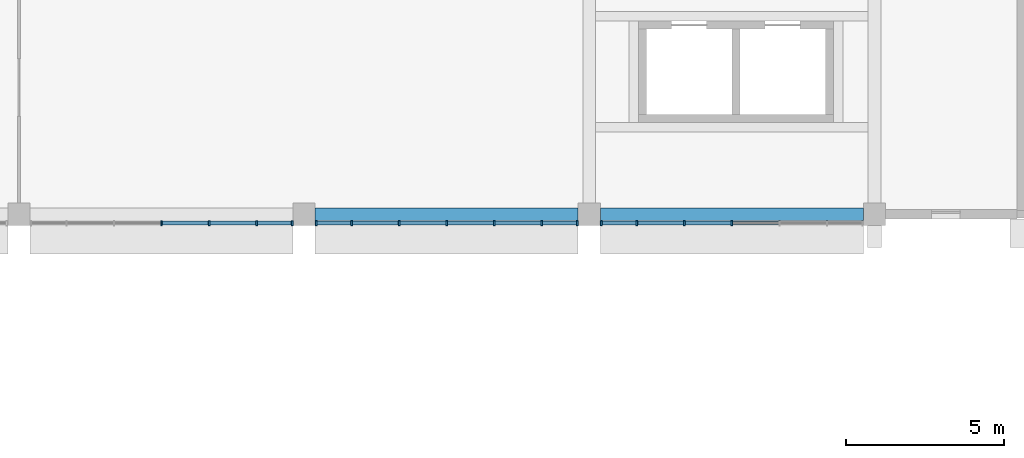
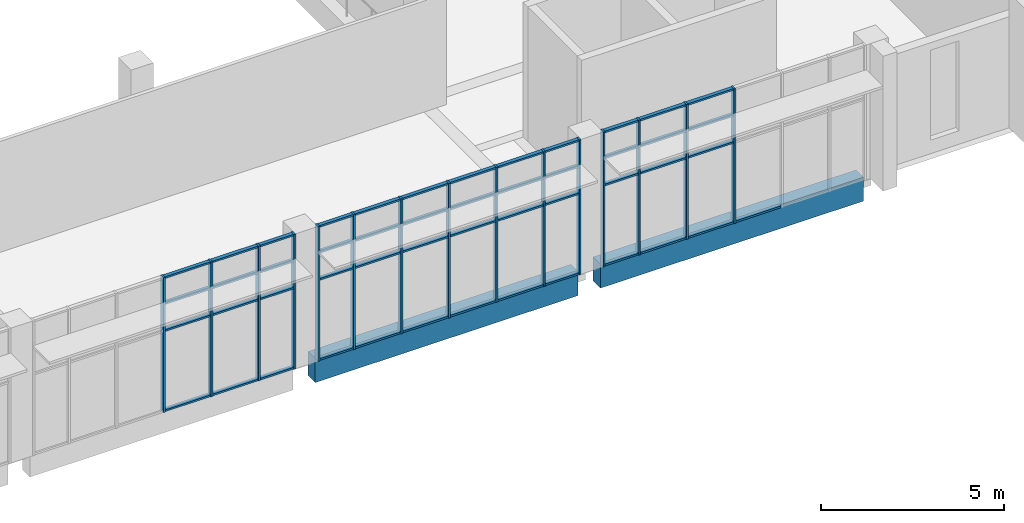
# One storey, part 5 of 40: 64 members, 2 beams, 3 elements without a shape of their own.
"""IFC4 building model written with IfcOpenShell, lengths in metres."""

from ifc_helpers import new_model, si_unit, direction, frame, origin, origin_2d, place, context, subcontext, project, spatial, rectangle, extrude, material, layer, layer_set, material_profile, profile_set, type_object, element, aggregate, save


model = new_model("IFC4")

# Units and contexts
model_context = context("Model", 3, precision=1e-05, world=origin(), true_north=direction((0.0, 1.0)))
body_context = subcontext(model_context, "Body", "Model", "MODEL_VIEW")
ifc_project = project(units=[si_unit("LENGTHUNIT", "METRE"), si_unit("AREAUNIT", "SQUARE_METRE"), si_unit("VOLUMEUNIT", "CUBIC_METRE"), si_unit("PLANEANGLEUNIT", "RADIAN"), si_unit("MASSUNIT", "GRAM", prefix="KILO")], contexts=[model_context])

# Site, building, storey
site_placement = place(None, origin())
site = spatial("IfcSite", under=ifc_project, at=site_placement, CompositionType="ELEMENT")
building_placement = place(site_placement, origin())
building = spatial("IfcBuilding", under=site, at=building_placement, Name="Guidao Yard Department Store", CompositionType="ELEMENT")
storey_placement = place(building_placement, frame((0.0, 0.0, 24.0)))
storey = spatial("IfcBuildingStorey", under=building, at=storey_placement, Name="L05", CompositionType="ELEMENT", Elevation=24.0)

# Curtain wall, members
ifc_material_1 = material(Name="Aluminium and glass", Category="aluminium")
ifc_layer = layer(ifc_material_1, 0.159912109375)
ifc_layer_set = layer_set([ifc_layer], Name="Hall front curtain wall CW2 1500 module")
curtain_wall_type = type_object("IfcCurtainWallType", Name="Hall front curtain wall CW2 1500 module", PredefinedType="NOTDEFINED", material=ifc_layer_set)
curtain_wall_1_placement = place(storey_placement, origin())
curtain_wall_1 = element("IfcCurtainWall", 1, at=curtain_wall_1_placement, inside=storey, type_object=curtain_wall_type, Name="Hall front curtain wall", PredefinedType="NOTDEFINED")
ifc_material_2 = material(Name="Aluminium 6063-T5", Category="aluminium")
ifc_material_profile_1 = material_profile(ifc_material_2, rectangle(XDim=0.06005859375, YDim=0.159912109375, at=origin_2d()), Name="Mullion M1 60 x 160 aluminium pressure plate")
ifc_profile_set_1 = profile_set([ifc_material_profile_1], Name="Aluminium 6063-T5")
member_type_1 = type_object("IfcMemberType", Name="Mullion M1 60 x 160 aluminium pressure plate", PredefinedType="MULLION", material=ifc_profile_set_1)
member_1_placement = place(storey_placement, frame((31.5, 44.719970703125, 0.0), z_axis=(0.0, 0.0, 1.0), x_axis=(-1.0, 0.0, 0.0)))
member_1 = element("IfcMember", 2, at=member_1_placement, type_object=member_type_1, Name="CW-HF-L05-03 mullion 4", PredefinedType="MULLION", context=body_context, shape_type="SweptSolid", body=[
    extrude(rectangle(XDim=0.06005859375, YDim=0.159912109375, at=origin_2d()), origin(), (0.0, 0.0, 1.0), 4.5),
])
member_2_placement = place(storey_placement, frame((33.0, 44.719970703125, 0.0), z_axis=(0.0, 0.0, 1.0), x_axis=(-1.0, 0.0, 0.0)))
member_2 = element("IfcMember", 3, at=member_2_placement, type_object=member_type_1, Name="CW-HF-L05-03 mullion 5", PredefinedType="MULLION", context=body_context, shape_type="SweptSolid", body=[
    extrude(rectangle(XDim=0.06005859375, YDim=0.159912109375, at=origin_2d()), origin(), (0.0, 0.0, 1.0), 4.5),
])
member_3_placement = place(storey_placement, frame((34.5, 44.719970703125, 0.0), z_axis=(0.0, 0.0, 1.0), x_axis=(-1.0, 0.0, 0.0)))
member_3 = element("IfcMember", 4, at=member_3_placement, type_object=member_type_1, Name="CW-HF-L05-03 mullion 6", PredefinedType="MULLION", context=body_context, shape_type="SweptSolid", body=[
    extrude(rectangle(XDim=0.06005859375, YDim=0.159912109375, at=origin_2d()), origin(), (0.0, 0.0, 1.0), 4.5),
])
member_4_placement = place(storey_placement, frame((35.6201171875, 44.719970703125, 0.0), z_axis=(0.0, 0.0, 1.0), x_axis=(-1.0, 0.0, 0.0)))
member_4 = element("IfcMember", 5, at=member_4_placement, type_object=member_type_1, Name="CW-HF-L05-03 mullion 7", PredefinedType="MULLION", context=body_context, shape_type="SweptSolid", body=[
    extrude(rectangle(XDim=0.06005859375, YDim=0.159912109375, at=origin_2d()), origin(), (0.0, 0.0, 1.0), 4.5),
])

curtain_wall_2_placement = place(storey_placement, origin())
curtain_wall_2 = element("IfcCurtainWall", 6, at=curtain_wall_2_placement, inside=storey, type_object=curtain_wall_type, Name="Hall front curtain wall", PredefinedType="NOTDEFINED")
member_5_placement = place(storey_placement, frame((36.3798828125, 44.719970703125, 0.0), z_axis=(0.0, 0.0, 1.0), x_axis=(-1.0, 0.0, 0.0)))
member_5 = element("IfcMember", 7, at=member_5_placement, type_object=member_type_1, Name="CW-HF-L05-04 mullion 1", PredefinedType="MULLION", context=body_context, shape_type="SweptSolid", body=[
    extrude(rectangle(XDim=0.06005859375, YDim=0.159912109375, at=origin_2d()), origin(), (0.0, 0.0, 1.0), 4.5),
])
member_6_placement = place(storey_placement, frame((37.5, 44.719970703125, 0.0), z_axis=(0.0, 0.0, 1.0), x_axis=(-1.0, 0.0, 0.0)))
member_6 = element("IfcMember", 8, at=member_6_placement, type_object=member_type_1, Name="CW-HF-L05-04 mullion 2", PredefinedType="MULLION", context=body_context, shape_type="SweptSolid", body=[
    extrude(rectangle(XDim=0.06005859375, YDim=0.159912109375, at=origin_2d()), origin(), (0.0, 0.0, 1.0), 4.5),
])
member_7_placement = place(storey_placement, frame((39.0, 44.719970703125, 0.0), z_axis=(0.0, 0.0, 1.0), x_axis=(-1.0, 0.0, 0.0)))
member_7 = element("IfcMember", 9, at=member_7_placement, type_object=member_type_1, Name="CW-HF-L05-04 mullion 3", PredefinedType="MULLION", context=body_context, shape_type="SweptSolid", body=[
    extrude(rectangle(XDim=0.06005859375, YDim=0.159912109375, at=origin_2d()), origin(), (0.0, 0.0, 1.0), 4.5),
])
member_8_placement = place(storey_placement, frame((40.5, 44.719970703125, 0.0), z_axis=(0.0, 0.0, 1.0), x_axis=(-1.0, 0.0, 0.0)))
member_8 = element("IfcMember", 10, at=member_8_placement, type_object=member_type_1, Name="CW-HF-L05-04 mullion 4", PredefinedType="MULLION", context=body_context, shape_type="SweptSolid", body=[
    extrude(rectangle(XDim=0.06005859375, YDim=0.159912109375, at=origin_2d()), origin(), (0.0, 0.0, 1.0), 4.5),
])
member_9_placement = place(storey_placement, frame((42.0, 44.719970703125, 0.0), z_axis=(0.0, 0.0, 1.0), x_axis=(-1.0, 0.0, 0.0)))
member_9 = element("IfcMember", 11, at=member_9_placement, type_object=member_type_1, Name="CW-HF-L05-04 mullion 5", PredefinedType="MULLION", context=body_context, shape_type="SweptSolid", body=[
    extrude(rectangle(XDim=0.06005859375, YDim=0.159912109375, at=origin_2d()), origin(), (0.0, 0.0, 1.0), 4.5),
])
member_10_placement = place(storey_placement, frame((43.5, 44.719970703125, 0.0), z_axis=(0.0, 0.0, 1.0), x_axis=(-1.0, 0.0, 0.0)))
member_10 = element("IfcMember", 12, at=member_10_placement, type_object=member_type_1, Name="CW-HF-L05-04 mullion 6", PredefinedType="MULLION", context=body_context, shape_type="SweptSolid", body=[
    extrude(rectangle(XDim=0.06005859375, YDim=0.159912109375, at=origin_2d()), origin(), (0.0, 0.0, 1.0), 4.5),
])
member_11_placement = place(storey_placement, frame((44.6201171875, 44.719970703125, 0.0), z_axis=(0.0, 0.0, 1.0), x_axis=(-1.0, 0.0, 0.0)))
member_11 = element("IfcMember", 13, at=member_11_placement, type_object=member_type_1, Name="CW-HF-L05-04 mullion 7", PredefinedType="MULLION", context=body_context, shape_type="SweptSolid", body=[
    extrude(rectangle(XDim=0.06005859375, YDim=0.159912109375, at=origin_2d()), origin(), (0.0, 0.0, 1.0), 4.5),
])

curtain_wall_3_placement = place(storey_placement, origin())
curtain_wall_3 = element("IfcCurtainWall", 14, at=curtain_wall_3_placement, inside=storey, type_object=curtain_wall_type, Name="Hall front curtain wall", PredefinedType="NOTDEFINED")
member_12_placement = place(storey_placement, frame((45.3798828125, 44.719970703125, 0.0), z_axis=(0.0, 0.0, 1.0), x_axis=(-1.0, 0.0, 0.0)))
member_12 = element("IfcMember", 15, at=member_12_placement, type_object=member_type_1, Name="CW-HF-L05-05 mullion 1", PredefinedType="MULLION", context=body_context, shape_type="SweptSolid", body=[
    extrude(rectangle(XDim=0.06005859375, YDim=0.159912109375, at=origin_2d()), origin(), (0.0, 0.0, 1.0), 4.5),
])
member_13_placement = place(storey_placement, frame((46.5, 44.719970703125, 0.0), z_axis=(0.0, 0.0, 1.0), x_axis=(-1.0, 0.0, 0.0)))
member_13 = element("IfcMember", 16, at=member_13_placement, type_object=member_type_1, Name="CW-HF-L05-05 mullion 2", PredefinedType="MULLION", context=body_context, shape_type="SweptSolid", body=[
    extrude(rectangle(XDim=0.06005859375, YDim=0.159912109375, at=origin_2d()), origin(), (0.0, 0.0, 1.0), 4.5),
])
member_14_placement = place(storey_placement, frame((48.0, 44.719970703125, 0.0), z_axis=(0.0, 0.0, 1.0), x_axis=(-1.0, 0.0, 0.0)))
member_14 = element("IfcMember", 17, at=member_14_placement, type_object=member_type_1, Name="CW-HF-L05-05 mullion 3", PredefinedType="MULLION", context=body_context, shape_type="SweptSolid", body=[
    extrude(rectangle(XDim=0.06005859375, YDim=0.159912109375, at=origin_2d()), origin(), (0.0, 0.0, 1.0), 4.5),
])
member_15_placement = place(storey_placement, frame((49.5, 44.719970703125, 0.0), z_axis=(0.0, 0.0, 1.0), x_axis=(-1.0, 0.0, 0.0)))
member_15 = element("IfcMember", 18, at=member_15_placement, type_object=member_type_1, Name="CW-HF-L05-05 mullion 4", PredefinedType="MULLION", context=body_context, shape_type="SweptSolid", body=[
    extrude(rectangle(XDim=0.06005859375, YDim=0.159912109375, at=origin_2d()), origin(), (0.0, 0.0, 1.0), 4.5),
])

# Beams
ifc_material_3 = material(Name="Concrete C40", Category="concrete")
ifc_material_profile_2 = material_profile(ifc_material_3, rectangle(XDim=0.39990234375, YDim=0.800048828125, at=origin_2d()), Name="Spandrel beam 400 x 800 C40")
ifc_profile_set_2 = profile_set([ifc_material_profile_2], Name="Concrete C40")
beam_type = type_object("IfcBeamType", Name="Spandrel beam 400 x 800 C40", PredefinedType="SPANDREL", material=ifc_profile_set_2)
for number, where, z_axis, x_axis, name in (
    (19, (36.35009765625, 45.0, -0.39990234375), (1.0, 0.0, 0.0), (0.0, 1.0, 0.0), "Beam EB04"),
    (20, (45.35009765625, 45.0, -0.39990234375), (1.0, 0.0, 0.0), (0.0, 1.0, 0.0), "Beam EB05"),
):
    element("IfcBeam", number, at=place(storey_placement, frame(where, z_axis=z_axis, x_axis=x_axis)), inside=storey, type_object=beam_type, Name=name, PredefinedType="SPANDREL", context=body_context, shape_type="SweptSolid", body=[
        extrude(rectangle(XDim=0.39990234375, YDim=0.800048828125, at=origin_2d()), origin(), (0.0, 0.0, 1.0), 8.2998046875),
    ])

# Member
ifc_material_4 = material(Name="Aluminium 6063-T5", Category="aluminium")
ifc_material_profile_3 = material_profile(ifc_material_4, rectangle(XDim=0.1201171875, YDim=0.06005859375, at=origin_2d()), Name="Transom T1 60 x 120 aluminium pressure plate")
ifc_profile_set_3 = profile_set([ifc_material_profile_3], Name="Aluminium 6063-T5")
member_type_2 = type_object("IfcMemberType", Name="Transom T1 60 x 120 aluminium pressure plate", PredefinedType="USERDEFINED", material=ifc_profile_set_3)
member_16_placement = place(storey_placement, frame((32.969970703125, 44.719970703125, 0.030029296875), z_axis=(-1.0, 0.0, 0.0), x_axis=(0.0, -1.0, 0.0)))
member_16 = element("IfcMember", 21, at=member_16_placement, type_object=member_type_2, Name="CW-HF-L05-03 transom 4.1", ObjectType="TRANSOM", PredefinedType="USERDEFINED", context=body_context, shape_type="SweptSolid", body=[
    extrude(rectangle(XDim=0.1201171875, YDim=0.06005859375, at=origin_2d()), origin(), (0.0, 0.0, 1.0), 1.43994140625),
])

member_17_placement = place(storey_placement, frame((32.969970703125, 44.719970703125, 2.699951171875), z_axis=(-1.0, 0.0, 0.0), x_axis=(0.0, -1.0, 0.0)))
member_17 = element("IfcMember", 22, at=member_17_placement, type_object=member_type_2, Name="CW-HF-L05-03 transom 4.2", ObjectType="TRANSOM", PredefinedType="USERDEFINED", context=body_context, shape_type="SweptSolid", body=[
    extrude(rectangle(XDim=0.1201171875, YDim=0.06005859375, at=origin_2d()), origin(), (0.0, 0.0, 1.0), 1.43994140625),
])

member_18_placement = place(storey_placement, frame((32.969970703125, 44.719970703125, 3.60009765625), z_axis=(-1.0, 0.0, 0.0), x_axis=(0.0, -1.0, 0.0)))
member_18 = element("IfcMember", 23, at=member_18_placement, type_object=member_type_2, Name="CW-HF-L05-03 transom 4.3", ObjectType="TRANSOM", PredefinedType="USERDEFINED", context=body_context, shape_type="SweptSolid", body=[
    extrude(rectangle(XDim=0.1201171875, YDim=0.06005859375, at=origin_2d()), origin(), (0.0, 0.0, 1.0), 1.43994140625),
])

member_19_placement = place(storey_placement, frame((32.969970703125, 44.719970703125, 4.469970703125), z_axis=(-1.0, 0.0, 0.0), x_axis=(0.0, -1.0, 0.0)))
member_19 = element("IfcMember", 24, at=member_19_placement, type_object=member_type_2, Name="CW-HF-L05-03 transom 4.4", ObjectType="TRANSOM", PredefinedType="USERDEFINED", context=body_context, shape_type="SweptSolid", body=[
    extrude(rectangle(XDim=0.1201171875, YDim=0.06005859375, at=origin_2d()), origin(), (0.0, 0.0, 1.0), 1.43994140625),
])

member_20_placement = place(storey_placement, frame((34.469970703125, 44.719970703125, 0.030029296875), z_axis=(-1.0, 0.0, 0.0), x_axis=(0.0, -1.0, 0.0)))
member_20 = element("IfcMember", 25, at=member_20_placement, type_object=member_type_2, Name="CW-HF-L05-03 transom 5.1", ObjectType="TRANSOM", PredefinedType="USERDEFINED", context=body_context, shape_type="SweptSolid", body=[
    extrude(rectangle(XDim=0.1201171875, YDim=0.06005859375, at=origin_2d()), origin(), (0.0, 0.0, 1.0), 1.43994140625),
])

member_21_placement = place(storey_placement, frame((34.469970703125, 44.719970703125, 2.699951171875), z_axis=(-1.0, 0.0, 0.0), x_axis=(0.0, -1.0, 0.0)))
member_21 = element("IfcMember", 26, at=member_21_placement, type_object=member_type_2, Name="CW-HF-L05-03 transom 5.2", ObjectType="TRANSOM", PredefinedType="USERDEFINED", context=body_context, shape_type="SweptSolid", body=[
    extrude(rectangle(XDim=0.1201171875, YDim=0.06005859375, at=origin_2d()), origin(), (0.0, 0.0, 1.0), 1.43994140625),
])

member_22_placement = place(storey_placement, frame((34.469970703125, 44.719970703125, 3.60009765625), z_axis=(-1.0, 0.0, 0.0), x_axis=(0.0, -1.0, 0.0)))
member_22 = element("IfcMember", 27, at=member_22_placement, type_object=member_type_2, Name="CW-HF-L05-03 transom 5.3", ObjectType="TRANSOM", PredefinedType="USERDEFINED", context=body_context, shape_type="SweptSolid", body=[
    extrude(rectangle(XDim=0.1201171875, YDim=0.06005859375, at=origin_2d()), origin(), (0.0, 0.0, 1.0), 1.43994140625),
])

member_23_placement = place(storey_placement, frame((34.469970703125, 44.719970703125, 4.469970703125), z_axis=(-1.0, 0.0, 0.0), x_axis=(0.0, -1.0, 0.0)))
member_23 = element("IfcMember", 28, at=member_23_placement, type_object=member_type_2, Name="CW-HF-L05-03 transom 5.4", ObjectType="TRANSOM", PredefinedType="USERDEFINED", context=body_context, shape_type="SweptSolid", body=[
    extrude(rectangle(XDim=0.1201171875, YDim=0.06005859375, at=origin_2d()), origin(), (0.0, 0.0, 1.0), 1.43994140625),
])

member_24_placement = place(storey_placement, frame((35.590087890625, 44.719970703125, 0.030029296875), z_axis=(-1.0, 0.0, 0.0), x_axis=(0.0, -1.0, 0.0)))
member_24 = element("IfcMember", 29, at=member_24_placement, type_object=member_type_2, Name="CW-HF-L05-03 transom 6.1", ObjectType="TRANSOM", PredefinedType="USERDEFINED", context=body_context, shape_type="SweptSolid", body=[
    extrude(rectangle(XDim=0.1201171875, YDim=0.06005859375, at=origin_2d()), origin(), (0.0, 0.0, 1.0), 1.06005859375),
])

member_25_placement = place(storey_placement, frame((35.590087890625, 44.719970703125, 2.699951171875), z_axis=(-1.0, 0.0, 0.0), x_axis=(0.0, -1.0, 0.0)))
member_25 = element("IfcMember", 30, at=member_25_placement, type_object=member_type_2, Name="CW-HF-L05-03 transom 6.2", ObjectType="TRANSOM", PredefinedType="USERDEFINED", context=body_context, shape_type="SweptSolid", body=[
    extrude(rectangle(XDim=0.1201171875, YDim=0.06005859375, at=origin_2d()), origin(), (0.0, 0.0, 1.0), 1.06005859375),
])

member_26_placement = place(storey_placement, frame((35.590087890625, 44.719970703125, 3.60009765625), z_axis=(-1.0, 0.0, 0.0), x_axis=(0.0, -1.0, 0.0)))
member_26 = element("IfcMember", 31, at=member_26_placement, type_object=member_type_2, Name="CW-HF-L05-03 transom 6.3", ObjectType="TRANSOM", PredefinedType="USERDEFINED", context=body_context, shape_type="SweptSolid", body=[
    extrude(rectangle(XDim=0.1201171875, YDim=0.06005859375, at=origin_2d()), origin(), (0.0, 0.0, 1.0), 1.06005859375),
])

member_27_placement = place(storey_placement, frame((35.590087890625, 44.719970703125, 4.469970703125), z_axis=(-1.0, 0.0, 0.0), x_axis=(0.0, -1.0, 0.0)))
member_27 = element("IfcMember", 32, at=member_27_placement, type_object=member_type_2, Name="CW-HF-L05-03 transom 6.4", ObjectType="TRANSOM", PredefinedType="USERDEFINED", context=body_context, shape_type="SweptSolid", body=[
    extrude(rectangle(XDim=0.1201171875, YDim=0.06005859375, at=origin_2d()), origin(), (0.0, 0.0, 1.0), 1.06005859375),
])

aggregate(curtain_wall_1, [member_1, member_2, member_3, member_4, member_16, member_17, member_18, member_19, member_20, member_21, member_22, member_23, member_24, member_25, member_26, member_27])

member_28_placement = place(storey_placement, frame((37.469970703125, 44.719970703125, 0.030029296875), z_axis=(-1.0, 0.0, 0.0), x_axis=(0.0, -1.0, 0.0)))
member_28 = element("IfcMember", 33, at=member_28_placement, type_object=member_type_2, Name="CW-HF-L05-04 transom 1.1", ObjectType="TRANSOM", PredefinedType="USERDEFINED", context=body_context, shape_type="SweptSolid", body=[
    extrude(rectangle(XDim=0.1201171875, YDim=0.06005859375, at=origin_2d()), origin(), (0.0, 0.0, 1.0), 1.06005859375),
])

member_29_placement = place(storey_placement, frame((37.469970703125, 44.719970703125, 2.699951171875), z_axis=(-1.0, 0.0, 0.0), x_axis=(0.0, -1.0, 0.0)))
member_29 = element("IfcMember", 34, at=member_29_placement, type_object=member_type_2, Name="CW-HF-L05-04 transom 1.2", ObjectType="TRANSOM", PredefinedType="USERDEFINED", context=body_context, shape_type="SweptSolid", body=[
    extrude(rectangle(XDim=0.1201171875, YDim=0.06005859375, at=origin_2d()), origin(), (0.0, 0.0, 1.0), 1.06005859375),
])

member_30_placement = place(storey_placement, frame((37.469970703125, 44.719970703125, 3.60009765625), z_axis=(-1.0, 0.0, 0.0), x_axis=(0.0, -1.0, 0.0)))
member_30 = element("IfcMember", 35, at=member_30_placement, type_object=member_type_2, Name="CW-HF-L05-04 transom 1.3", ObjectType="TRANSOM", PredefinedType="USERDEFINED", context=body_context, shape_type="SweptSolid", body=[
    extrude(rectangle(XDim=0.1201171875, YDim=0.06005859375, at=origin_2d()), origin(), (0.0, 0.0, 1.0), 1.06005859375),
])

member_31_placement = place(storey_placement, frame((37.469970703125, 44.719970703125, 4.469970703125), z_axis=(-1.0, 0.0, 0.0), x_axis=(0.0, -1.0, 0.0)))
member_31 = element("IfcMember", 36, at=member_31_placement, type_object=member_type_2, Name="CW-HF-L05-04 transom 1.4", ObjectType="TRANSOM", PredefinedType="USERDEFINED", context=body_context, shape_type="SweptSolid", body=[
    extrude(rectangle(XDim=0.1201171875, YDim=0.06005859375, at=origin_2d()), origin(), (0.0, 0.0, 1.0), 1.06005859375),
])

member_32_placement = place(storey_placement, frame((38.969970703125, 44.719970703125, 0.030029296875), z_axis=(-1.0, 0.0, 0.0), x_axis=(0.0, -1.0, 0.0)))
member_32 = element("IfcMember", 37, at=member_32_placement, type_object=member_type_2, Name="CW-HF-L05-04 transom 2.1", ObjectType="TRANSOM", PredefinedType="USERDEFINED", context=body_context, shape_type="SweptSolid", body=[
    extrude(rectangle(XDim=0.1201171875, YDim=0.06005859375, at=origin_2d()), origin(), (0.0, 0.0, 1.0), 1.43994140625),
])

member_33_placement = place(storey_placement, frame((38.969970703125, 44.719970703125, 2.699951171875), z_axis=(-1.0, 0.0, 0.0), x_axis=(0.0, -1.0, 0.0)))
member_33 = element("IfcMember", 38, at=member_33_placement, type_object=member_type_2, Name="CW-HF-L05-04 transom 2.2", ObjectType="TRANSOM", PredefinedType="USERDEFINED", context=body_context, shape_type="SweptSolid", body=[
    extrude(rectangle(XDim=0.1201171875, YDim=0.06005859375, at=origin_2d()), origin(), (0.0, 0.0, 1.0), 1.43994140625),
])

member_34_placement = place(storey_placement, frame((38.969970703125, 44.719970703125, 3.60009765625), z_axis=(-1.0, 0.0, 0.0), x_axis=(0.0, -1.0, 0.0)))
member_34 = element("IfcMember", 39, at=member_34_placement, type_object=member_type_2, Name="CW-HF-L05-04 transom 2.3", ObjectType="TRANSOM", PredefinedType="USERDEFINED", context=body_context, shape_type="SweptSolid", body=[
    extrude(rectangle(XDim=0.1201171875, YDim=0.06005859375, at=origin_2d()), origin(), (0.0, 0.0, 1.0), 1.43994140625),
])

member_35_placement = place(storey_placement, frame((38.969970703125, 44.719970703125, 4.469970703125), z_axis=(-1.0, 0.0, 0.0), x_axis=(0.0, -1.0, 0.0)))
member_35 = element("IfcMember", 40, at=member_35_placement, type_object=member_type_2, Name="CW-HF-L05-04 transom 2.4", ObjectType="TRANSOM", PredefinedType="USERDEFINED", context=body_context, shape_type="SweptSolid", body=[
    extrude(rectangle(XDim=0.1201171875, YDim=0.06005859375, at=origin_2d()), origin(), (0.0, 0.0, 1.0), 1.43994140625),
])

member_36_placement = place(storey_placement, frame((40.469970703125, 44.719970703125, 0.030029296875), z_axis=(-1.0, 0.0, 0.0), x_axis=(0.0, -1.0, 0.0)))
member_36 = element("IfcMember", 41, at=member_36_placement, type_object=member_type_2, Name="CW-HF-L05-04 transom 3.1", ObjectType="TRANSOM", PredefinedType="USERDEFINED", context=body_context, shape_type="SweptSolid", body=[
    extrude(rectangle(XDim=0.1201171875, YDim=0.06005859375, at=origin_2d()), origin(), (0.0, 0.0, 1.0), 1.43994140625),
])

member_37_placement = place(storey_placement, frame((40.469970703125, 44.719970703125, 2.699951171875), z_axis=(-1.0, 0.0, 0.0), x_axis=(0.0, -1.0, 0.0)))
member_37 = element("IfcMember", 42, at=member_37_placement, type_object=member_type_2, Name="CW-HF-L05-04 transom 3.2", ObjectType="TRANSOM", PredefinedType="USERDEFINED", context=body_context, shape_type="SweptSolid", body=[
    extrude(rectangle(XDim=0.1201171875, YDim=0.06005859375, at=origin_2d()), origin(), (0.0, 0.0, 1.0), 1.43994140625),
])

member_38_placement = place(storey_placement, frame((40.469970703125, 44.719970703125, 3.60009765625), z_axis=(-1.0, 0.0, 0.0), x_axis=(0.0, -1.0, 0.0)))
member_38 = element("IfcMember", 43, at=member_38_placement, type_object=member_type_2, Name="CW-HF-L05-04 transom 3.3", ObjectType="TRANSOM", PredefinedType="USERDEFINED", context=body_context, shape_type="SweptSolid", body=[
    extrude(rectangle(XDim=0.1201171875, YDim=0.06005859375, at=origin_2d()), origin(), (0.0, 0.0, 1.0), 1.43994140625),
])

member_39_placement = place(storey_placement, frame((40.469970703125, 44.719970703125, 4.469970703125), z_axis=(-1.0, 0.0, 0.0), x_axis=(0.0, -1.0, 0.0)))
member_39 = element("IfcMember", 44, at=member_39_placement, type_object=member_type_2, Name="CW-HF-L05-04 transom 3.4", ObjectType="TRANSOM", PredefinedType="USERDEFINED", context=body_context, shape_type="SweptSolid", body=[
    extrude(rectangle(XDim=0.1201171875, YDim=0.06005859375, at=origin_2d()), origin(), (0.0, 0.0, 1.0), 1.43994140625),
])

member_40_placement = place(storey_placement, frame((41.969970703125, 44.719970703125, 0.030029296875), z_axis=(-1.0, 0.0, 0.0), x_axis=(0.0, -1.0, 0.0)))
member_40 = element("IfcMember", 45, at=member_40_placement, type_object=member_type_2, Name="CW-HF-L05-04 transom 4.1", ObjectType="TRANSOM", PredefinedType="USERDEFINED", context=body_context, shape_type="SweptSolid", body=[
    extrude(rectangle(XDim=0.1201171875, YDim=0.06005859375, at=origin_2d()), origin(), (0.0, 0.0, 1.0), 1.43994140625),
])

member_41_placement = place(storey_placement, frame((41.969970703125, 44.719970703125, 2.699951171875), z_axis=(-1.0, 0.0, 0.0), x_axis=(0.0, -1.0, 0.0)))
member_41 = element("IfcMember", 46, at=member_41_placement, type_object=member_type_2, Name="CW-HF-L05-04 transom 4.2", ObjectType="TRANSOM", PredefinedType="USERDEFINED", context=body_context, shape_type="SweptSolid", body=[
    extrude(rectangle(XDim=0.1201171875, YDim=0.06005859375, at=origin_2d()), origin(), (0.0, 0.0, 1.0), 1.43994140625),
])

member_42_placement = place(storey_placement, frame((41.969970703125, 44.719970703125, 3.60009765625), z_axis=(-1.0, 0.0, 0.0), x_axis=(0.0, -1.0, 0.0)))
member_42 = element("IfcMember", 47, at=member_42_placement, type_object=member_type_2, Name="CW-HF-L05-04 transom 4.3", ObjectType="TRANSOM", PredefinedType="USERDEFINED", context=body_context, shape_type="SweptSolid", body=[
    extrude(rectangle(XDim=0.1201171875, YDim=0.06005859375, at=origin_2d()), origin(), (0.0, 0.0, 1.0), 1.43994140625),
])

member_43_placement = place(storey_placement, frame((41.969970703125, 44.719970703125, 4.469970703125), z_axis=(-1.0, 0.0, 0.0), x_axis=(0.0, -1.0, 0.0)))
member_43 = element("IfcMember", 48, at=member_43_placement, type_object=member_type_2, Name="CW-HF-L05-04 transom 4.4", ObjectType="TRANSOM", PredefinedType="USERDEFINED", context=body_context, shape_type="SweptSolid", body=[
    extrude(rectangle(XDim=0.1201171875, YDim=0.06005859375, at=origin_2d()), origin(), (0.0, 0.0, 1.0), 1.43994140625),
])

member_44_placement = place(storey_placement, frame((43.469970703125, 44.719970703125, 0.030029296875), z_axis=(-1.0, 0.0, 0.0), x_axis=(0.0, -1.0, 0.0)))
member_44 = element("IfcMember", 49, at=member_44_placement, type_object=member_type_2, Name="CW-HF-L05-04 transom 5.1", ObjectType="TRANSOM", PredefinedType="USERDEFINED", context=body_context, shape_type="SweptSolid", body=[
    extrude(rectangle(XDim=0.1201171875, YDim=0.06005859375, at=origin_2d()), origin(), (0.0, 0.0, 1.0), 1.43994140625),
])

member_45_placement = place(storey_placement, frame((43.469970703125, 44.719970703125, 2.699951171875), z_axis=(-1.0, 0.0, 0.0), x_axis=(0.0, -1.0, 0.0)))
member_45 = element("IfcMember", 50, at=member_45_placement, type_object=member_type_2, Name="CW-HF-L05-04 transom 5.2", ObjectType="TRANSOM", PredefinedType="USERDEFINED", context=body_context, shape_type="SweptSolid", body=[
    extrude(rectangle(XDim=0.1201171875, YDim=0.06005859375, at=origin_2d()), origin(), (0.0, 0.0, 1.0), 1.43994140625),
])

member_46_placement = place(storey_placement, frame((43.469970703125, 44.719970703125, 3.60009765625), z_axis=(-1.0, 0.0, 0.0), x_axis=(0.0, -1.0, 0.0)))
member_46 = element("IfcMember", 51, at=member_46_placement, type_object=member_type_2, Name="CW-HF-L05-04 transom 5.3", ObjectType="TRANSOM", PredefinedType="USERDEFINED", context=body_context, shape_type="SweptSolid", body=[
    extrude(rectangle(XDim=0.1201171875, YDim=0.06005859375, at=origin_2d()), origin(), (0.0, 0.0, 1.0), 1.43994140625),
])

member_47_placement = place(storey_placement, frame((43.469970703125, 44.719970703125, 4.469970703125), z_axis=(-1.0, 0.0, 0.0), x_axis=(0.0, -1.0, 0.0)))
member_47 = element("IfcMember", 52, at=member_47_placement, type_object=member_type_2, Name="CW-HF-L05-04 transom 5.4", ObjectType="TRANSOM", PredefinedType="USERDEFINED", context=body_context, shape_type="SweptSolid", body=[
    extrude(rectangle(XDim=0.1201171875, YDim=0.06005859375, at=origin_2d()), origin(), (0.0, 0.0, 1.0), 1.43994140625),
])

member_48_placement = place(storey_placement, frame((44.590087890625, 44.719970703125, 0.030029296875), z_axis=(-1.0, 0.0, 0.0), x_axis=(0.0, -1.0, 0.0)))
member_48 = element("IfcMember", 53, at=member_48_placement, type_object=member_type_2, Name="CW-HF-L05-04 transom 6.1", ObjectType="TRANSOM", PredefinedType="USERDEFINED", context=body_context, shape_type="SweptSolid", body=[
    extrude(rectangle(XDim=0.1201171875, YDim=0.06005859375, at=origin_2d()), origin(), (0.0, 0.0, 1.0), 1.06005859375),
])

member_49_placement = place(storey_placement, frame((44.590087890625, 44.719970703125, 2.699951171875), z_axis=(-1.0, 0.0, 0.0), x_axis=(0.0, -1.0, 0.0)))
member_49 = element("IfcMember", 54, at=member_49_placement, type_object=member_type_2, Name="CW-HF-L05-04 transom 6.2", ObjectType="TRANSOM", PredefinedType="USERDEFINED", context=body_context, shape_type="SweptSolid", body=[
    extrude(rectangle(XDim=0.1201171875, YDim=0.06005859375, at=origin_2d()), origin(), (0.0, 0.0, 1.0), 1.06005859375),
])

member_50_placement = place(storey_placement, frame((44.590087890625, 44.719970703125, 3.60009765625), z_axis=(-1.0, 0.0, 0.0), x_axis=(0.0, -1.0, 0.0)))
member_50 = element("IfcMember", 55, at=member_50_placement, type_object=member_type_2, Name="CW-HF-L05-04 transom 6.3", ObjectType="TRANSOM", PredefinedType="USERDEFINED", context=body_context, shape_type="SweptSolid", body=[
    extrude(rectangle(XDim=0.1201171875, YDim=0.06005859375, at=origin_2d()), origin(), (0.0, 0.0, 1.0), 1.06005859375),
])

member_51_placement = place(storey_placement, frame((44.590087890625, 44.719970703125, 4.469970703125), z_axis=(-1.0, 0.0, 0.0), x_axis=(0.0, -1.0, 0.0)))
member_51 = element("IfcMember", 56, at=member_51_placement, type_object=member_type_2, Name="CW-HF-L05-04 transom 6.4", ObjectType="TRANSOM", PredefinedType="USERDEFINED", context=body_context, shape_type="SweptSolid", body=[
    extrude(rectangle(XDim=0.1201171875, YDim=0.06005859375, at=origin_2d()), origin(), (0.0, 0.0, 1.0), 1.06005859375),
])

aggregate(curtain_wall_2, [member_5, member_6, member_7, member_8, member_9, member_10, member_11, member_28, member_29, member_30, member_31, member_32, member_33, member_34, member_35, member_36, member_37, member_38, member_39, member_40, member_41, member_42, member_43, member_44, member_45, member_46, member_47, member_48, member_49, member_50, member_51])

member_52_placement = place(storey_placement, frame((46.469970703125, 44.719970703125, 0.030029296875), z_axis=(-1.0, 0.0, 0.0), x_axis=(0.0, -1.0, 0.0)))
member_52 = element("IfcMember", 57, at=member_52_placement, type_object=member_type_2, Name="CW-HF-L05-05 transom 1.1", ObjectType="TRANSOM", PredefinedType="USERDEFINED", context=body_context, shape_type="SweptSolid", body=[
    extrude(rectangle(XDim=0.1201171875, YDim=0.06005859375, at=origin_2d()), origin(), (0.0, 0.0, 1.0), 1.06005859375),
])

member_53_placement = place(storey_placement, frame((46.469970703125, 44.719970703125, 2.699951171875), z_axis=(-1.0, 0.0, 0.0), x_axis=(0.0, -1.0, 0.0)))
member_53 = element("IfcMember", 58, at=member_53_placement, type_object=member_type_2, Name="CW-HF-L05-05 transom 1.2", ObjectType="TRANSOM", PredefinedType="USERDEFINED", context=body_context, shape_type="SweptSolid", body=[
    extrude(rectangle(XDim=0.1201171875, YDim=0.06005859375, at=origin_2d()), origin(), (0.0, 0.0, 1.0), 1.06005859375),
])

member_54_placement = place(storey_placement, frame((46.469970703125, 44.719970703125, 3.60009765625), z_axis=(-1.0, 0.0, 0.0), x_axis=(0.0, -1.0, 0.0)))
member_54 = element("IfcMember", 59, at=member_54_placement, type_object=member_type_2, Name="CW-HF-L05-05 transom 1.3", ObjectType="TRANSOM", PredefinedType="USERDEFINED", context=body_context, shape_type="SweptSolid", body=[
    extrude(rectangle(XDim=0.1201171875, YDim=0.06005859375, at=origin_2d()), origin(), (0.0, 0.0, 1.0), 1.06005859375),
])

member_55_placement = place(storey_placement, frame((46.469970703125, 44.719970703125, 4.469970703125), z_axis=(-1.0, 0.0, 0.0), x_axis=(0.0, -1.0, 0.0)))
member_55 = element("IfcMember", 60, at=member_55_placement, type_object=member_type_2, Name="CW-HF-L05-05 transom 1.4", ObjectType="TRANSOM", PredefinedType="USERDEFINED", context=body_context, shape_type="SweptSolid", body=[
    extrude(rectangle(XDim=0.1201171875, YDim=0.06005859375, at=origin_2d()), origin(), (0.0, 0.0, 1.0), 1.06005859375),
])

member_56_placement = place(storey_placement, frame((47.969970703125, 44.719970703125, 0.030029296875), z_axis=(-1.0, 0.0, 0.0), x_axis=(0.0, -1.0, 0.0)))
member_56 = element("IfcMember", 61, at=member_56_placement, type_object=member_type_2, Name="CW-HF-L05-05 transom 2.1", ObjectType="TRANSOM", PredefinedType="USERDEFINED", context=body_context, shape_type="SweptSolid", body=[
    extrude(rectangle(XDim=0.1201171875, YDim=0.06005859375, at=origin_2d()), origin(), (0.0, 0.0, 1.0), 1.43994140625),
])

member_57_placement = place(storey_placement, frame((47.969970703125, 44.719970703125, 2.699951171875), z_axis=(-1.0, 0.0, 0.0), x_axis=(0.0, -1.0, 0.0)))
member_57 = element("IfcMember", 62, at=member_57_placement, type_object=member_type_2, Name="CW-HF-L05-05 transom 2.2", ObjectType="TRANSOM", PredefinedType="USERDEFINED", context=body_context, shape_type="SweptSolid", body=[
    extrude(rectangle(XDim=0.1201171875, YDim=0.06005859375, at=origin_2d()), origin(), (0.0, 0.0, 1.0), 1.43994140625),
])

member_58_placement = place(storey_placement, frame((47.969970703125, 44.719970703125, 3.60009765625), z_axis=(-1.0, 0.0, 0.0), x_axis=(0.0, -1.0, 0.0)))
member_58 = element("IfcMember", 63, at=member_58_placement, type_object=member_type_2, Name="CW-HF-L05-05 transom 2.3", ObjectType="TRANSOM", PredefinedType="USERDEFINED", context=body_context, shape_type="SweptSolid", body=[
    extrude(rectangle(XDim=0.1201171875, YDim=0.06005859375, at=origin_2d()), origin(), (0.0, 0.0, 1.0), 1.43994140625),
])

member_59_placement = place(storey_placement, frame((47.969970703125, 44.719970703125, 4.469970703125), z_axis=(-1.0, 0.0, 0.0), x_axis=(0.0, -1.0, 0.0)))
member_59 = element("IfcMember", 64, at=member_59_placement, type_object=member_type_2, Name="CW-HF-L05-05 transom 2.4", ObjectType="TRANSOM", PredefinedType="USERDEFINED", context=body_context, shape_type="SweptSolid", body=[
    extrude(rectangle(XDim=0.1201171875, YDim=0.06005859375, at=origin_2d()), origin(), (0.0, 0.0, 1.0), 1.43994140625),
])

member_60_placement = place(storey_placement, frame((49.469970703125, 44.719970703125, 0.030029296875), z_axis=(-1.0, 0.0, 0.0), x_axis=(0.0, -1.0, 0.0)))
member_60 = element("IfcMember", 65, at=member_60_placement, type_object=member_type_2, Name="CW-HF-L05-05 transom 3.1", ObjectType="TRANSOM", PredefinedType="USERDEFINED", context=body_context, shape_type="SweptSolid", body=[
    extrude(rectangle(XDim=0.1201171875, YDim=0.06005859375, at=origin_2d()), origin(), (0.0, 0.0, 1.0), 1.43994140625),
])

member_61_placement = place(storey_placement, frame((49.469970703125, 44.719970703125, 2.699951171875), z_axis=(-1.0, 0.0, 0.0), x_axis=(0.0, -1.0, 0.0)))
member_61 = element("IfcMember", 66, at=member_61_placement, type_object=member_type_2, Name="CW-HF-L05-05 transom 3.2", ObjectType="TRANSOM", PredefinedType="USERDEFINED", context=body_context, shape_type="SweptSolid", body=[
    extrude(rectangle(XDim=0.1201171875, YDim=0.06005859375, at=origin_2d()), origin(), (0.0, 0.0, 1.0), 1.43994140625),
])

member_62_placement = place(storey_placement, frame((49.469970703125, 44.719970703125, 3.60009765625), z_axis=(-1.0, 0.0, 0.0), x_axis=(0.0, -1.0, 0.0)))
member_62 = element("IfcMember", 67, at=member_62_placement, type_object=member_type_2, Name="CW-HF-L05-05 transom 3.3", ObjectType="TRANSOM", PredefinedType="USERDEFINED", context=body_context, shape_type="SweptSolid", body=[
    extrude(rectangle(XDim=0.1201171875, YDim=0.06005859375, at=origin_2d()), origin(), (0.0, 0.0, 1.0), 1.43994140625),
])

member_63_placement = place(storey_placement, frame((49.469970703125, 44.719970703125, 4.469970703125), z_axis=(-1.0, 0.0, 0.0), x_axis=(0.0, -1.0, 0.0)))
member_63 = element("IfcMember", 68, at=member_63_placement, type_object=member_type_2, Name="CW-HF-L05-05 transom 3.4", ObjectType="TRANSOM", PredefinedType="USERDEFINED", context=body_context, shape_type="SweptSolid", body=[
    extrude(rectangle(XDim=0.1201171875, YDim=0.06005859375, at=origin_2d()), origin(), (0.0, 0.0, 1.0), 1.43994140625),
])

member_64_placement = place(storey_placement, frame((50.969970703125, 44.719970703125, 0.030029296875), z_axis=(-1.0, 0.0, 0.0), x_axis=(0.0, -1.0, 0.0)))
member_64 = element("IfcMember", 69, at=member_64_placement, type_object=member_type_2, Name="CW-HF-L05-05 transom 4.1", ObjectType="TRANSOM", PredefinedType="USERDEFINED", context=body_context, shape_type="SweptSolid", body=[
    extrude(rectangle(XDim=0.1201171875, YDim=0.06005859375, at=origin_2d()), origin(), (0.0, 0.0, 1.0), 1.43994140625),
])

aggregate(curtain_wall_3, [member_12, member_13, member_14, member_15, member_52, member_53, member_54, member_55, member_56, member_57, member_58, member_59, member_60, member_61, member_62, member_63, member_64])

save(model, "model.ifc")
